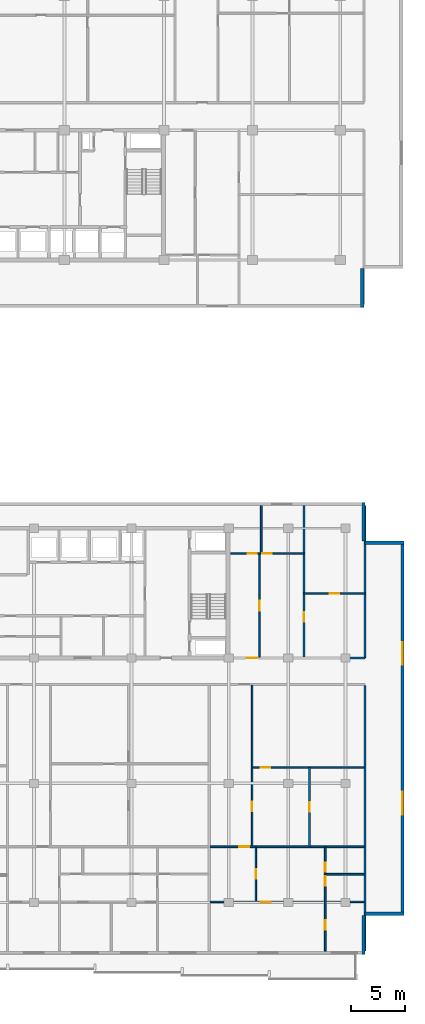
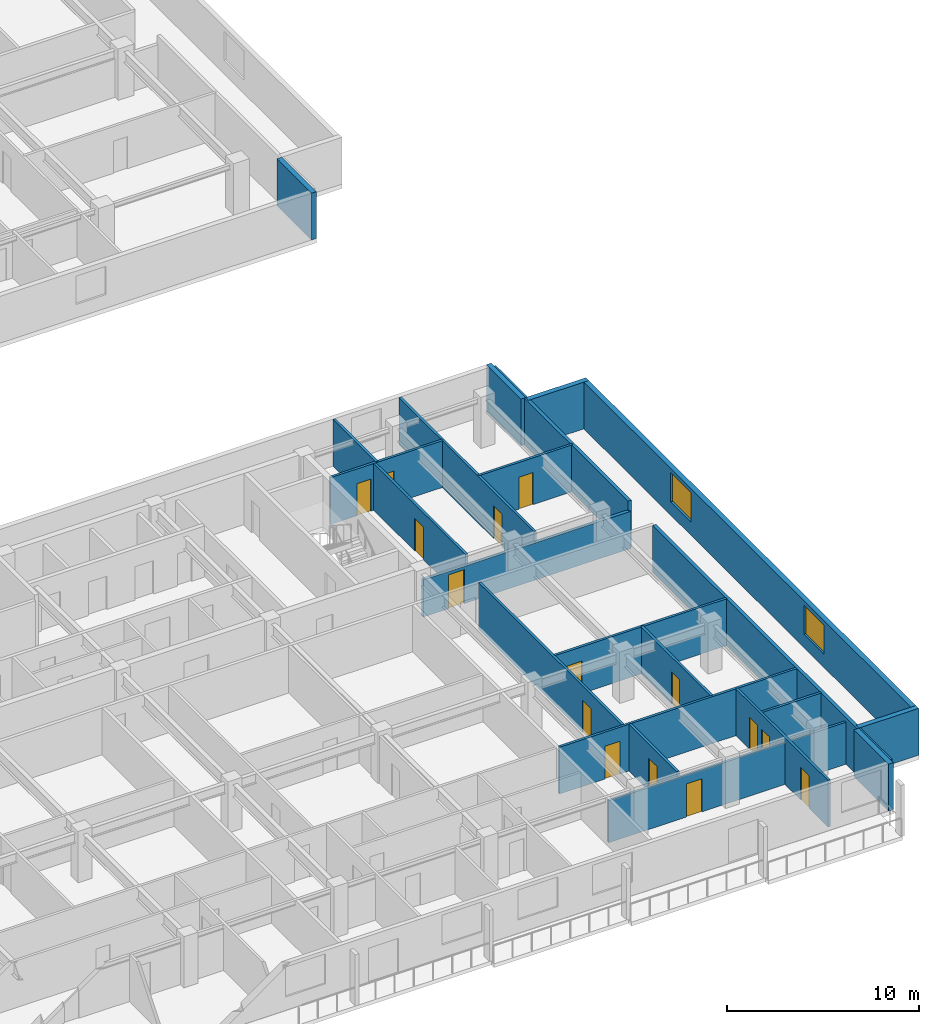
# One storey, part 10 of 22: 22 walls, 15 doors, 2 windows, 17 openings.
"""IFC4 building model written with IfcOpenShell, lengths in metres."""

from ifc_helpers import new_model, si_unit, direction, frame, frame_2d, origin, place, context, subcontext, project, spatial, rectangle, extrude, material, layer, layer_set, type_object, element, fill, save


model = new_model("IFC4")

# Units and contexts
model_context = context("Model", 3, precision=1e-05, world=origin(), true_north=direction((0.0, 1.0)))
body_context = subcontext(model_context, "Body", "Model", "MODEL_VIEW")
ifc_project = project(units=[si_unit("LENGTHUNIT", "METRE"), si_unit("AREAUNIT", "SQUARE_METRE"), si_unit("VOLUMEUNIT", "CUBIC_METRE"), si_unit("PLANEANGLEUNIT", "RADIAN"), si_unit("MASSUNIT", "GRAM", prefix="KILO")], contexts=[model_context])

# Site, building, storey
site_placement = place(None, origin())
site = spatial("IfcSite", under=ifc_project, at=site_placement, CompositionType="ELEMENT")
building_placement = place(site_placement, origin())
building = spatial("IfcBuilding", under=site, at=building_placement, Name="Korimba Cascade Residences", CompositionType="ELEMENT")
storey_placement = place(building_placement, frame((0.0, 0.0, 129.550048828125)))
storey = spatial("IfcBuildingStorey", under=building, at=storey_placement, Name="L37", CompositionType="ELEMENT", Elevation=129.550048828125)

# Walls
ifc_material_1 = material(Name="Precast concrete C40/50", Category="concrete")
ifc_layer_1 = layer(ifc_material_1, 0.300048828125)
ifc_layer_set_1 = layer_set([ifc_layer_1], Name="Precast concrete C40/50")
wall_type_1 = type_object("IfcWallType", Name="EW-STONE-300", PredefinedType="STANDARD", material=ifc_layer_set_1)
wall_1_placement = place(storey_placement, frame((130.449951171875, 50.800048828125, 0.0), z_axis=(0.0, 0.0, 1.0), x_axis=(0.0, 1.0, 0.0)))
element("IfcWall", 1, at=wall_1_placement, inside=storey, type_object=wall_type_1, Name="L37 T1 Perimeter Stone Wall E01", PredefinedType="STANDARD", context=body_context, shape_type="SweptSolid", body=[
    extrude(rectangle(XDim=3.599853515625, YDim=0.300048828125, at=frame_2d((1.7998046875, 0.0))), origin(), (0.0, 0.0, 1.0), 2.969970703125),
])
for number, where, z_axis, x_axis, name in (
    (2, (130.550048828125, -9.0, 0.0), (0.0, 0.0, 1.0), (0.0, 1.0, 0.0), "L37 T2 Perimeter Stone Wall E01"),
    (3, (130.699951171875, -5.25, 0.0), (0.0, 0.0, 1.0), (1.0, 0.0, 0.0), "L37 T2 Perimeter Stone Wall E02"),
):
    element("IfcWall", number, at=place(storey_placement, frame(where, z_axis=z_axis, x_axis=x_axis)), inside=storey, type_object=wall_type_1, Name=name, PredefinedType="STANDARD", context=body_context, shape_type="SweptSolid", body=[
        extrude(rectangle(XDim=3.60009765625, YDim=0.300048828125, at=frame_2d((1.800048828125, 0.0))), origin(), (0.0, 0.0, 1.0), 2.969970703125),
    ])

# Wall, openings, windows
wall_2_placement = place(storey_placement, frame((134.14990234375, -5.39990234375, 0.0), z_axis=(0.0, 0.0, 1.0), x_axis=(0.0, 1.0, 0.0)))
wall_2 = element("IfcWall", 4, at=wall_2_placement, inside=storey, type_object=wall_type_1, Name="L37 T2 Perimeter Stone Wall E03", PredefinedType="STANDARD", context=body_context, shape_type="SweptSolid", body=[
    extrude(rectangle(XDim=34.599853515625, YDim=0.300048828125, at=frame_2d((17.2998046875, 0.0))), origin(), (0.0, 0.0, 1.0), 2.969970703125),
])
opening_1_placement = place(wall_2_placement, frame((9.330078125, 0.0, 0.85009765625)))
opening_1 = element("IfcOpeningElement", 5, at=opening_1_placement, cuts=wall_2, Name="Opening W-03", PredefinedType="OPENING", context=body_context, shape_type="SweptSolid", body=[
    extrude(rectangle(XDim=2.10009765625, YDim=1.85009765625, at=frame_2d((1.050048828125, 0.925048828125))), frame((0.0, 0.16015625, 0.0), z_axis=(0.0, -1.0, 0.0), x_axis=(1.0, 0.0, 0.0)), (0.0, 0.0, 1.0), 0.320068359375),
])
opening_2_placement = place(wall_2_placement, frame((23.169921875, 0.0, 0.85009765625)))
opening_2 = element("IfcOpeningElement", 6, at=opening_2_placement, cuts=wall_2, Name="Opening W-03", PredefinedType="OPENING", context=body_context, shape_type="SweptSolid", body=[
    extrude(rectangle(XDim=2.10009765625, YDim=1.85009765625, at=frame_2d((1.050048828125, 0.925048828125))), frame((0.0, 0.16015625, 0.0), z_axis=(0.0, -1.0, 0.0), x_axis=(1.0, 0.0, 0.0)), (0.0, 0.0, 1.0), 0.320068359375),
])
ifc_material_2 = material(Name="Double-Glazed Aluminium Window", Category="aluminium")
window_type = type_object("IfcWindowType", Name="WIN-CRN-2100", PartitioningType="DOUBLE_PANEL_HORIZONTAL", PredefinedType="WINDOW", material=ifc_material_2)
window_1_placement = place(opening_1_placement, origin())
window_1 = element("IfcWindow", 7, at=window_1_placement, inside=storey, type_object=window_type, Name="L37 T2 End View Window 3.1", OverallHeight=1.85009765625, OverallWidth=2.10009765625, PartitioningType="DOUBLE_PANEL_HORIZONTAL", PredefinedType="WINDOW", context=body_context, shape_type="SweptSolid", body=[
    extrude(rectangle(XDim=2.10009765625, YDim=1.85009765625, at=frame_2d((1.050048828125, 0.925048828125))), frame((0.0, 0.030029296875, 0.0), z_axis=(0.0, -1.0, 0.0), x_axis=(1.0, 0.0, 0.0)), (0.0, 0.0, 1.0), 0.06005859375),
])
fill(opening_1, window_1)
window_2_placement = place(opening_2_placement, origin())
window_2 = element("IfcWindow", 8, at=window_2_placement, inside=storey, type_object=window_type, Name="L37 T2 End View Window 3.2", OverallHeight=1.85009765625, OverallWidth=2.10009765625, PartitioningType="DOUBLE_PANEL_HORIZONTAL", PredefinedType="WINDOW", context=body_context, shape_type="SweptSolid", body=[
    extrude(rectangle(XDim=2.10009765625, YDim=1.85009765625, at=frame_2d((1.050048828125, 0.925048828125))), frame((0.0, 0.030029296875, 0.0), z_axis=(0.0, -1.0, 0.0), x_axis=(1.0, 0.0, 0.0)), (0.0, 0.0, 1.0), 0.06005859375),
])
fill(opening_2, window_2)

# Walls
for number, where, z_axis, x_axis, name in (
    (9, (134.300048828125, 29.050048828125, 0.0), (0.0, 0.0, 1.0), (-1.0, 0.0, 0.0), "L37 T2 Perimeter Stone Wall E04"),
    (10, (130.550048828125, 29.199951171875, 0.0), (0.0, 0.0, 1.0), (0.0, 1.0, 0.0), "L37 T2 Perimeter Stone Wall E05"),
):
    element("IfcWall", number, at=place(storey_placement, frame(where, z_axis=z_axis, x_axis=x_axis)), inside=storey, type_object=wall_type_1, Name=name, PredefinedType="STANDARD", context=body_context, shape_type="SweptSolid", body=[
        extrude(rectangle(XDim=3.60009765625, YDim=0.300048828125, at=frame_2d((1.800048828125, 0.0))), origin(), (0.0, 0.0, 1.0), 2.969970703125),
    ])
ifc_layer_2 = layer(ifc_material_1, 0.199951171875)
ifc_layer_set_2 = layer_set([ifc_layer_2], Name="Precast concrete C40/50")
wall_type_2 = type_object("IfcWallType", Name="WAL-IT-200", PredefinedType="PARTITIONING", material=ifc_layer_set_2)
wall_3_placement = place(storey_placement, frame((130.699951171875, 18.39990234375, 0.0), z_axis=(0.0, 0.0, 1.0), x_axis=(0.0, 1.0, 0.0)))
element("IfcWall", 11, at=wall_3_placement, inside=storey, type_object=wall_type_2, Name="L37 Partition Wall WAL-L37-T2-FE-WR", PredefinedType="PARTITIONING", context=body_context, shape_type="SweptSolid", body=[
    extrude(rectangle(XDim=14.10009765625, YDim=0.199951171875, at=frame_2d((7.050048828125, 0.0))), origin(), (0.0, 0.0, 1.0), 2.969970703125),
])

# Wall, opening, door
wall_4_placement = place(storey_placement, frame((118.25, 18.39990234375, 0.0), z_axis=(0.0, 0.0, 1.0), x_axis=(1.0, 0.0, 0.0)))
wall_4 = element("IfcWall", 12, at=wall_4_placement, inside=storey, type_object=wall_type_2, Name="L37 Partition Wall WAL-L37-T2-FE-S", PredefinedType="PARTITIONING", context=body_context, shape_type="SweptSolid", body=[
    extrude(rectangle(XDim=12.449951171875, YDim=0.199951171875, at=frame_2d((6.22509765625, 0.0))), origin(), (0.0, 0.0, 1.0), 2.357666015625),
])
opening_3_placement = place(wall_4_placement, frame((1.510009765625, 0.0, 0.0)))
opening_3 = element("IfcOpeningElement", 13, at=opening_3_placement, cuts=wall_4, Name="Opening D-UN1", PredefinedType="OPENING", context=body_context, shape_type="SweptSolid", body=[
    extrude(rectangle(XDim=0.949951171875, YDim=2.14990234375, at=frame_2d((0.47509765625, 1.074951171875))), frame((0.0, 0.10986328125, 0.0), z_axis=(0.0, -1.0, 0.0), x_axis=(1.0, 0.0, 0.0)), (0.0, 0.0, 1.0), 0.219970703125),
])
ifc_material_3 = material(Name="Fire-Rated Hardwood Apartment Entrance Door", Category="wood")
door_type_1 = type_object("IfcDoorType", Name="DR-FD60-950", OperationType="NOTDEFINED", PredefinedType="DOOR", material=ifc_material_3)
door_1_placement = place(opening_3_placement, origin())
door_1 = element("IfcDoor", 14, at=door_1_placement, inside=storey, type_object=door_type_1, Name="L37-T2-FE Entrance Door", OperationType="SINGLE_SWING_RIGHT", OverallHeight=2.14990234375, OverallWidth=0.949951171875, PredefinedType="DOOR", context=body_context, shape_type="SweptSolid", body=[
    extrude(rectangle(XDim=0.949951171875, YDim=2.14990234375, at=frame_2d((0.47509765625, 1.074951171875))), frame((0.0, 0.02490234375, 0.0), z_axis=(0.0, -1.0, 0.0), x_axis=(1.0, 0.0, 0.0)), (0.0, 0.0, 1.0), 0.050048828125),
])
fill(opening_3, door_1)

# Wall
wall_5_placement = place(storey_placement, frame((130.699951171875, -8.699951171875, 0.0), z_axis=(0.0, 0.0, 1.0), x_axis=(0.0, 1.0, 0.0)))
element("IfcWall", 15, at=wall_5_placement, inside=storey, type_object=wall_type_2, Name="L37 Partition Wall WAL-L37-T2-BNDWR", PredefinedType="PARTITIONING", context=body_context, shape_type="SweptSolid", body=[
    extrude(rectangle(XDim=24.570068359375, YDim=0.199951171875, at=frame_2d((12.28515625, 0.0))), origin(), (0.0, 0.0, 1.0), 2.969970703125),
])

# Wall, opening, door
ifc_material_4 = material(Name="Insulated Acoustic Stud Partition", Category="gypsum")
ifc_layer_3 = layer(ifc_material_4, 0.14990234375)
ifc_layer_set_3 = layer_set([ifc_layer_3], Name="Insulated Acoustic Stud Partition")
wall_type_3 = type_object("IfcWallType", Name="WAL-PART-150", PredefinedType="PARTITIONING", material=ifc_layer_set_3)
wall_6_placement = place(storey_placement, frame((125.050048828125, 24.35009765625, 0.0), z_axis=(0.0, 0.0, 1.0), x_axis=(1.0, 0.0, 0.0)))
wall_6 = element("IfcWall", 16, at=wall_6_placement, inside=storey, type_object=wall_type_3, Name="L37 Partition Wall WAL-L37-T2-FE-STH", PredefinedType="PARTITIONING", context=body_context, shape_type="SweptSolid", body=[
    extrude(rectangle(XDim=5.64990234375, YDim=0.14990234375, at=frame_2d((2.824951171875, 0.0))), origin(), (0.0, 0.0, 1.0), 2.969970703125),
])
opening_4_placement = place(wall_6_placement, frame((2.405029296875, 0.0, 0.0)))
opening_4 = element("IfcOpeningElement", 17, at=opening_4_placement, cuts=wall_6, Name="Opening D-BT1", PredefinedType="OPENING", context=body_context, shape_type="SweptSolid", body=[
    extrude(rectangle(XDim=0.840087890625, YDim=2.0400390625, at=frame_2d((0.419921875, 1.02001953125))), frame((0.0, 0.0849609375, 0.0), z_axis=(0.0, -1.0, 0.0), x_axis=(1.0, 0.0, 0.0)), (0.0, 0.0, 1.0), 0.169921875),
])
ifc_material_5 = material(Name="Moisture-Resistant Bathroom Timber Door", Category="wood")
door_type_2 = type_object("IfcDoorType", Name="DR-INT-850", OperationType="NOTDEFINED", PredefinedType="DOOR", material=ifc_material_5)
door_2_placement = place(opening_4_placement, origin())
door_2 = element("IfcDoor", 18, at=door_2_placement, inside=storey, type_object=door_type_2, Name="L37-T2-FE Dressing Store Door", OperationType="SINGLE_SWING_LEFT", OverallHeight=2.0400390625, OverallWidth=0.840087890625, PredefinedType="DOOR", context=body_context, shape_type="SweptSolid", body=[
    extrude(rectangle(XDim=0.840087890625, YDim=2.0400390625, at=frame_2d((0.419921875, 1.02001953125))), frame((0.0, 0.02490234375, 0.0), z_axis=(0.0, -1.0, 0.0), x_axis=(1.0, 0.0, 0.0)), (0.0, 0.0, 1.0), 0.050048828125),
])
fill(opening_4, door_2)

wall_7_placement = place(storey_placement, frame((125.050048828125, 18.449951171875, 0.0), z_axis=(0.0, 0.0, 1.0), x_axis=(0.0, 1.0, 0.0)))
wall_7 = element("IfcWall", 19, at=wall_7_placement, inside=storey, type_object=wall_type_3, Name="L37 Partition Wall WAL-L37-T2-FE-STV", PredefinedType="PARTITIONING", context=body_context, shape_type="SweptSolid", body=[
    extrude(rectangle(XDim=14.050048828125, YDim=0.14990234375, at=frame_2d((7.02490234375, 0.0))), origin(), (0.0, 0.0, 1.0), 2.969970703125),
])
opening_5_placement = place(wall_7_placement, frame((3.320068359375, 0.0, 0.0)))
opening_5 = element("IfcOpeningElement", 20, at=opening_5_placement, cuts=wall_7, Name="Opening D-IN2", PredefinedType="OPENING", context=body_context, shape_type="SweptSolid", body=[
    extrude(rectangle(XDim=0.8798828125, YDim=2.06005859375, at=frame_2d((0.43994140625, 1.030029296875))), frame((0.0, 0.0849609375, 0.0), z_axis=(0.0, -1.0, 0.0), x_axis=(1.0, 0.0, 0.0)), (0.0, 0.0, 1.0), 0.169921875),
])
ifc_material_6 = material(Name="Acoustic Timber Bedroom Door", Category="wood")
door_type_3 = type_object("IfcDoorType", Name="DR-INT-880", OperationType="NOTDEFINED", PredefinedType="DOOR", material=ifc_material_6)
door_3_placement = place(opening_5_placement, origin())
door_3 = element("IfcDoor", 21, at=door_3_placement, inside=storey, type_object=door_type_3, Name="L37-T2-FE Study Door", OperationType="SINGLE_SWING_RIGHT", OverallHeight=2.06005859375, OverallWidth=0.8798828125, PredefinedType="DOOR", context=body_context, shape_type="SweptSolid", body=[
    extrude(rectangle(XDim=0.8798828125, YDim=2.06005859375, at=frame_2d((0.43994140625, 1.030029296875))), frame((0.0, 0.02490234375, 0.0), z_axis=(0.0, -1.0, 0.0), x_axis=(1.0, 0.0, 0.0)), (0.0, 0.0, 1.0), 0.050048828125),
])
fill(opening_5, door_3)

wall_8_placement = place(storey_placement, frame((120.929931640625, 18.449951171875, 0.0), z_axis=(0.0, 0.0, 1.0), x_axis=(0.0, 1.0, 0.0)))
wall_8 = element("IfcWall", 22, at=wall_8_placement, inside=storey, type_object=wall_type_3, Name="L37 Partition Wall WAL-L37-T2-FE-VS", PredefinedType="PARTITIONING", context=body_context, shape_type="SweptSolid", body=[
    extrude(rectangle(XDim=9.60009765625, YDim=0.14990234375, at=frame_2d((4.800048828125, 0.0))), origin(), (0.0, 0.0, 1.0), 2.969970703125),
])
opening_6_placement = place(wall_8_placement, frame((4.340087890625, 0.0, 0.0)))
opening_6 = element("IfcOpeningElement", 23, at=opening_6_placement, cuts=wall_8, Name="Opening D-IN1", PredefinedType="OPENING", context=body_context, shape_type="SweptSolid", body=[
    extrude(rectangle(XDim=0.919921875, YDim=2.080078125, at=frame_2d((0.4599609375, 1.0400390625))), frame((0.0, 0.0849609375, 0.0), z_axis=(0.0, -1.0, 0.0), x_axis=(1.0, 0.0, 0.0)), (0.0, 0.0, 1.0), 0.169921875),
])
ifc_material_7 = material(Name="Acoustic Timber Living Door", Category="wood")
door_type_4 = type_object("IfcDoorType", Name="DR-INT-920", OperationType="NOTDEFINED", PredefinedType="DOOR", material=ifc_material_7)
door_4_placement = place(opening_6_placement, origin())
door_4 = element("IfcDoor", 24, at=door_4_placement, inside=storey, type_object=door_type_4, Name="L37-T2-FE Living Door", OperationType="SINGLE_SWING_LEFT", OverallHeight=2.080078125, OverallWidth=0.919921875, PredefinedType="DOOR", context=body_context, shape_type="SweptSolid", body=[
    extrude(rectangle(XDim=0.919921875, YDim=2.080078125, at=frame_2d((0.4599609375, 1.0400390625))), frame((0.0, 0.02490234375, 0.0), z_axis=(0.0, -1.0, 0.0), x_axis=(1.0, 0.0, 0.0)), (0.0, 0.0, 1.0), 0.050048828125),
])
fill(opening_6, door_4)

# Wall
wall_9_placement = place(storey_placement, frame((121.10009765625, 28.050048828125, 0.0), z_axis=(0.0, 0.0, 1.0), x_axis=(0.0, 1.0, 0.0)))
element("IfcWall", 25, at=wall_9_placement, inside=storey, type_object=wall_type_3, Name="L37 Partition Wall WAL-L37-T2-FE-VN", PredefinedType="PARTITIONING", context=body_context, shape_type="SweptSolid", body=[
    extrude(rectangle(XDim=4.449951171875, YDim=0.14990234375, at=frame_2d((2.22509765625, 0.0))), origin(), (0.0, 0.0, 1.0), 2.969970703125),
])

# Wall, openings, doors
wall_10_placement = place(storey_placement, frame((118.27001953125, 28.050048828125, 0.0), z_axis=(0.0, 0.0, 1.0), x_axis=(1.0, 0.0, 0.0)))
wall_10 = element("IfcWall", 26, at=wall_10_placement, inside=storey, type_object=wall_type_3, Name="L37 Partition Wall WAL-L37-T2-FE-H", PredefinedType="PARTITIONING", context=body_context, shape_type="SweptSolid", body=[
    extrude(rectangle(XDim=6.760009765625, YDim=0.14990234375, at=frame_2d((3.3798828125, 0.0))), origin(), (0.0, 0.0, 1.0), 2.969970703125),
])
opening_7_placement = place(wall_10_placement, frame((1.58740234375, 0.0, 0.0)))
opening_7 = element("IfcOpeningElement", 27, at=opening_7_placement, cuts=wall_10, Name="Opening D-BT1", PredefinedType="OPENING", context=body_context, shape_type="SweptSolid", body=[
    extrude(rectangle(XDim=0.840087890625, YDim=2.0400390625, at=frame_2d((0.419921875, 1.02001953125))), frame((0.0, 0.0849609375, 0.0), z_axis=(0.0, -1.0, 0.0), x_axis=(1.0, 0.0, 0.0)), (0.0, 0.0, 1.0), 0.169921875),
])
opening_8_placement = place(wall_10_placement, frame((2.93994140625, 0.0, 0.0)))
opening_8 = element("IfcOpeningElement", 28, at=opening_8_placement, cuts=wall_10, Name="Opening D-IN2", PredefinedType="OPENING", context=body_context, shape_type="SweptSolid", body=[
    extrude(rectangle(XDim=0.8798828125, YDim=2.06005859375, at=frame_2d((0.43994140625, 1.030029296875))), frame((0.0, 0.0849609375, 0.0), z_axis=(0.0, -1.0, 0.0), x_axis=(1.0, 0.0, 0.0)), (0.0, 0.0, 1.0), 0.169921875),
])
door_5_placement = place(opening_7_placement, origin())
door_5 = element("IfcDoor", 29, at=door_5_placement, inside=storey, type_object=door_type_2, Name="L37-T2-FE Bathroom Door", OperationType="SINGLE_SWING_RIGHT", OverallHeight=2.0400390625, OverallWidth=0.840087890625, PredefinedType="DOOR", context=body_context, shape_type="SweptSolid", body=[
    extrude(rectangle(XDim=0.840087890625, YDim=2.0400390625, at=frame_2d((0.419921875, 1.02001953125))), frame((0.0, 0.02490234375, 0.0), z_axis=(0.0, -1.0, 0.0), x_axis=(1.0, 0.0, 0.0)), (0.0, 0.0, 1.0), 0.050048828125),
])
fill(opening_7, door_5)
door_6_placement = place(opening_8_placement, origin())
door_6 = element("IfcDoor", 30, at=door_6_placement, inside=storey, type_object=door_type_3, Name="L37-T2-FE Bedroom Door", OperationType="SINGLE_SWING_LEFT", OverallHeight=2.06005859375, OverallWidth=0.8798828125, PredefinedType="DOOR", context=body_context, shape_type="SweptSolid", body=[
    extrude(rectangle(XDim=0.8798828125, YDim=2.06005859375, at=frame_2d((0.43994140625, 1.030029296875))), frame((0.0, 0.02490234375, 0.0), z_axis=(0.0, -1.0, 0.0), x_axis=(1.0, 0.0, 0.0)), (0.0, 0.0, 1.0), 0.050048828125),
])
fill(opening_8, door_6)

# Wall, opening, door
wall_11_placement = place(storey_placement, frame((125.568115234375, 0.989990234375, 0.0), z_axis=(0.0, 0.0, 1.0), x_axis=(0.0, 1.0, 0.0)))
wall_11 = element("IfcWall", 31, at=wall_11_placement, inside=storey, type_object=wall_type_3, Name="L37 Partition Wall WAL-L37-T2-U03-FMV", PredefinedType="PARTITIONING", context=body_context, shape_type="SweptSolid", body=[
    extrude(rectangle(XDim=7.27001953125, YDim=0.14990234375, at=frame_2d((3.635009765625, 0.0))), origin(), (0.0, 0.0, 1.0), 2.969970703125),
])
opening_9_placement = place(wall_11_placement, frame((3.215087890625, 0.0, 0.0)))
opening_9 = element("IfcOpeningElement", 32, at=opening_9_placement, cuts=wall_11, Name="Opening D-BT1", PredefinedType="OPENING", context=body_context, shape_type="SweptSolid", body=[
    extrude(rectangle(XDim=0.840087890625, YDim=2.0400390625, at=frame_2d((0.419921875, 1.02001953125))), frame((0.0, 0.0849609375, 0.0), z_axis=(0.0, -1.0, 0.0), x_axis=(1.0, 0.0, 0.0)), (0.0, 0.0, 1.0), 0.169921875),
])
door_7_placement = place(opening_9_placement, origin())
door_7 = element("IfcDoor", 33, at=door_7_placement, inside=storey, type_object=door_type_2, Name="L37-T2-U03 Wardrobe Door", OperationType="SINGLE_SWING_RIGHT", OverallHeight=2.0400390625, OverallWidth=0.840087890625, PredefinedType="DOOR", context=body_context, shape_type="SweptSolid", body=[
    extrude(rectangle(XDim=0.840087890625, YDim=2.0400390625, at=frame_2d((0.419921875, 1.02001953125))), frame((0.0, 0.02490234375, 0.0), z_axis=(0.0, -1.0, 0.0), x_axis=(1.0, 0.0, 0.0)), (0.0, 0.0, 1.0), 0.050048828125),
])
fill(opening_9, door_7)

wall_12_placement = place(storey_placement, frame((120.31640625, 8.260009765625, 0.0), z_axis=(0.0, 0.0, 1.0), x_axis=(1.0, 0.0, 0.0)))
wall_12 = element("IfcWall", 34, at=wall_12_placement, inside=storey, type_object=wall_type_3, Name="L37 Partition Wall WAL-L37-T2-U03-FMH", PredefinedType="PARTITIONING", context=body_context, shape_type="SweptSolid", body=[
    extrude(rectangle(XDim=10.3037109375, YDim=0.14990234375, at=frame_2d((5.15185546875, 0.0))), origin(), (0.0, 0.0, 1.0), 2.969970703125),
])
opening_10_placement = place(wall_12_placement, frame((0.730224609375, 0.0, 0.0)))
opening_10 = element("IfcOpeningElement", 35, at=opening_10_placement, cuts=wall_12, Name="Opening D-IN2", PredefinedType="OPENING", context=body_context, shape_type="SweptSolid", body=[
    extrude(rectangle(XDim=0.8798828125, YDim=2.06005859375, at=frame_2d((0.43994140625, 1.030029296875))), frame((0.0, 0.0849609375, 0.0), z_axis=(0.0, -1.0, 0.0), x_axis=(1.0, 0.0, 0.0)), (0.0, 0.0, 1.0), 0.169921875),
])
door_8_placement = place(opening_10_placement, origin())
door_8 = element("IfcDoor", 36, at=door_8_placement, inside=storey, type_object=door_type_3, Name="L37-T2-U03 Library Salon Door", OperationType="SINGLE_SWING_LEFT", OverallHeight=2.06005859375, OverallWidth=0.8798828125, PredefinedType="DOOR", context=body_context, shape_type="SweptSolid", body=[
    extrude(rectangle(XDim=0.8798828125, YDim=2.06005859375, at=frame_2d((0.43994140625, 1.030029296875))), frame((0.0, 0.02490234375, 0.0), z_axis=(0.0, -1.0, 0.0), x_axis=(1.0, 0.0, 0.0)), (0.0, 0.0, 1.0), 0.050048828125),
])
fill(opening_10, door_8)

wall_13_placement = place(storey_placement, frame((120.25634765625, 0.989990234375, 0.0), z_axis=(0.0, 0.0, 1.0), x_axis=(0.0, 1.0, 0.0)))
wall_13 = element("IfcWall", 37, at=wall_13_placement, inside=storey, type_object=wall_type_3, Name="L37 Partition Wall WAL-L37-T2-U03-FV", PredefinedType="PARTITIONING", context=body_context, shape_type="SweptSolid", body=[
    extrude(rectangle(XDim=14.89990234375, YDim=0.14990234375, at=frame_2d((7.449951171875, 0.0))), origin(), (0.0, 0.0, 1.0), 2.969970703125),
])
opening_11_placement = place(wall_13_placement, frame((3.2451171875, 0.0, 0.0)))
opening_11 = element("IfcOpeningElement", 38, at=opening_11_placement, cuts=wall_13, Name="Opening D-IN2", PredefinedType="OPENING", context=body_context, shape_type="SweptSolid", body=[
    extrude(rectangle(XDim=0.8798828125, YDim=2.06005859375, at=frame_2d((0.43994140625, 1.030029296875))), frame((0.0, 0.0849609375, 0.0), z_axis=(0.0, -1.0, 0.0), x_axis=(1.0, 0.0, 0.0)), (0.0, 0.0, 1.0), 0.169921875),
])
door_9_placement = place(opening_11_placement, origin())
door_9 = element("IfcDoor", 39, at=door_9_placement, inside=storey, type_object=door_type_3, Name="L37-T2-U03 Media Lounge Door", OperationType="SINGLE_SWING_RIGHT", OverallHeight=2.06005859375, OverallWidth=0.8798828125, PredefinedType="DOOR", context=body_context, shape_type="SweptSolid", body=[
    extrude(rectangle(XDim=0.8798828125, YDim=2.06005859375, at=frame_2d((0.43994140625, 1.030029296875))), frame((0.0, 0.02490234375, 0.0), z_axis=(0.0, -1.0, 0.0), x_axis=(1.0, 0.0, 0.0)), (0.0, 0.0, 1.0), 0.050048828125),
])
fill(opening_11, door_9)

wall_14_placement = place(storey_placement, frame((120.606201171875, -4.090087890625, 0.0), z_axis=(0.0, 0.0, 1.0), x_axis=(0.0, 1.0, 0.0)))
wall_14 = element("IfcWall", 40, at=wall_14_placement, inside=storey, type_object=wall_type_3, Name="L37 Partition Wall WAL-L37-T2-U03-VDIN", PredefinedType="PARTITIONING", context=body_context, shape_type="SweptSolid", body=[
    extrude(rectangle(XDim=5.0, YDim=0.14990234375, at=frame_2d((2.5, 0.0))), origin(), (0.0, 0.0, 1.0), 2.969970703125),
])
opening_12_placement = place(wall_14_placement, frame((2.06005859375, 0.0, 0.0)))
opening_12 = element("IfcOpeningElement", 41, at=opening_12_placement, cuts=wall_14, Name="Opening D-IN2", PredefinedType="OPENING", context=body_context, shape_type="SweptSolid", body=[
    extrude(rectangle(XDim=0.8798828125, YDim=2.06005859375, at=frame_2d((0.43994140625, 1.030029296875))), frame((0.0, 0.0849609375, 0.0), z_axis=(0.0, -1.0, 0.0), x_axis=(1.0, 0.0, 0.0)), (0.0, 0.0, 1.0), 0.169921875),
])
door_10_placement = place(opening_12_placement, origin())
door_10 = element("IfcDoor", 42, at=door_10_placement, inside=storey, type_object=door_type_3, Name="L37-T2-U03 Dining Room Door", OperationType="SINGLE_SWING_LEFT", OverallHeight=2.06005859375, OverallWidth=0.8798828125, PredefinedType="DOOR", context=body_context, shape_type="SweptSolid", body=[
    extrude(rectangle(XDim=0.8798828125, YDim=2.06005859375, at=frame_2d((0.43994140625, 1.030029296875))), frame((0.0, 0.02490234375, 0.0), z_axis=(0.0, -1.0, 0.0), x_axis=(1.0, 0.0, 0.0)), (0.0, 0.0, 1.0), 0.050048828125),
])
fill(opening_12, door_10)

# Wall
wall_15_placement = place(storey_placement, frame((127.080078125, -1.590087890625, 0.0), z_axis=(0.0, 0.0, 1.0), x_axis=(1.0, 0.0, 0.0)))
element("IfcWall", 43, at=wall_15_placement, inside=storey, type_object=wall_type_3, Name="L37 Partition Wall WAL-L37-T2-U03-BLDIV", PredefinedType="PARTITIONING", context=body_context, shape_type="SweptSolid", body=[
    extrude(rectangle(XDim=3.5400390625, YDim=0.14990234375, at=frame_2d((1.77001953125, 0.0))), origin(), (0.0, 0.0, 1.0), 2.969970703125),
])

# Wall, openings, doors
wall_16_placement = place(storey_placement, frame((127.02001953125, -8.699951171875, 0.0), z_axis=(0.0, 0.0, 1.0), x_axis=(0.0, 1.0, 0.0)))
wall_16 = element("IfcWall", 44, at=wall_16_placement, inside=storey, type_object=wall_type_3, Name="L37 Partition Wall WAL-L37-T2-U03-V1", PredefinedType="PARTITIONING", context=body_context, shape_type="SweptSolid", body=[
    extrude(rectangle(XDim=9.60986328125, YDim=0.14990234375, at=frame_2d((4.804931640625, 0.0))), origin(), (0.0, 0.0, 1.0), 2.969970703125),
])
opening_13_placement = place(wall_16_placement, frame((6.065185546875, 0.0, 0.0)))
opening_13 = element("IfcOpeningElement", 45, at=opening_13_placement, cuts=wall_16, Name="Opening D-BT1", PredefinedType="OPENING", context=body_context, shape_type="SweptSolid", body=[
    extrude(rectangle(XDim=0.840087890625, YDim=2.0400390625, at=frame_2d((0.419921875, 1.02001953125))), frame((0.0, 0.0849609375, 0.0), z_axis=(0.0, -1.0, 0.0), x_axis=(1.0, 0.0, 0.0)), (0.0, 0.0, 1.0), 0.169921875),
])
opening_14_placement = place(wall_16_placement, frame((7.339599609375, 0.0, 0.0)))
opening_14 = element("IfcOpeningElement", 46, at=opening_14_placement, cuts=wall_16, Name="Opening D-BT1", PredefinedType="OPENING", context=body_context, shape_type="SweptSolid", body=[
    extrude(rectangle(XDim=0.840087890625, YDim=2.0400390625, at=frame_2d((0.419921875, 1.02001953125))), frame((0.0, 0.0849609375, 0.0), z_axis=(0.0, -1.0, 0.0), x_axis=(1.0, 0.0, 0.0)), (0.0, 0.0, 1.0), 0.169921875),
])
opening_15_placement = place(wall_16_placement, frame((1.97119140625, 0.0, 0.0)))
opening_15 = element("IfcOpeningElement", 47, at=opening_15_placement, cuts=wall_16, Name="Opening D-IN2", PredefinedType="OPENING", context=body_context, shape_type="SweptSolid", body=[
    extrude(rectangle(XDim=0.8798828125, YDim=2.06005859375, at=frame_2d((0.43994140625, 1.030029296875))), frame((0.0, 0.0849609375, 0.0), z_axis=(0.0, -1.0, 0.0), x_axis=(1.0, 0.0, 0.0)), (0.0, 0.0, 1.0), 0.169921875),
])
door_11_placement = place(opening_13_placement, origin())
door_11 = element("IfcDoor", 48, at=door_11_placement, inside=storey, type_object=door_type_2, Name="L37-T2-U03 Bathroom Door", OperationType="SINGLE_SWING_RIGHT", OverallHeight=2.0400390625, OverallWidth=0.840087890625, PredefinedType="DOOR", context=body_context, shape_type="SweptSolid", body=[
    extrude(rectangle(XDim=0.840087890625, YDim=2.0400390625, at=frame_2d((0.419921875, 1.02001953125))), frame((0.0, 0.02490234375, 0.0), z_axis=(0.0, -1.0, 0.0), x_axis=(1.0, 0.0, 0.0)), (0.0, 0.0, 1.0), 0.050048828125),
])
fill(opening_13, door_11)
door_12_placement = place(opening_14_placement, origin())
door_12 = element("IfcDoor", 49, at=door_12_placement, inside=storey, type_object=door_type_2, Name="L37-T2-U03 Laundry Door", OperationType="SINGLE_SWING_LEFT", OverallHeight=2.0400390625, OverallWidth=0.840087890625, PredefinedType="DOOR", context=body_context, shape_type="SweptSolid", body=[
    extrude(rectangle(XDim=0.840087890625, YDim=2.0400390625, at=frame_2d((0.419921875, 1.02001953125))), frame((0.0, 0.02490234375, 0.0), z_axis=(0.0, -1.0, 0.0), x_axis=(1.0, 0.0, 0.0)), (0.0, 0.0, 1.0), 0.050048828125),
])
fill(opening_14, door_12)
door_13_placement = place(opening_15_placement, origin())
door_13 = element("IfcDoor", 50, at=door_13_placement, inside=storey, type_object=door_type_3, Name="L37-T2-U03 Bedroom 1 Door", OperationType="SINGLE_SWING_RIGHT", OverallHeight=2.06005859375, OverallWidth=0.8798828125, PredefinedType="DOOR", context=body_context, shape_type="SweptSolid", body=[
    extrude(rectangle(XDim=0.8798828125, YDim=2.06005859375, at=frame_2d((0.43994140625, 1.030029296875))), frame((0.0, 0.02490234375, 0.0), z_axis=(0.0, -1.0, 0.0), x_axis=(1.0, 0.0, 0.0)), (0.0, 0.0, 1.0), 0.050048828125),
])
fill(opening_15, door_13)

# Wall, opening, door
wall_17_placement = place(storey_placement, frame((116.3662109375, 0.949951171875, 0.0), z_axis=(0.0, 0.0, 1.0), x_axis=(1.0, 0.0, 0.0)))
wall_17 = element("IfcWall", 51, at=wall_17_placement, inside=storey, type_object=wall_type_3, Name="L37 Partition Wall WAL-L37-T2-U03-MW", PredefinedType="PARTITIONING", context=body_context, shape_type="SweptSolid", body=[
    extrude(rectangle(XDim=14.25390625, YDim=0.14990234375, at=frame_2d((7.126953125, 0.0))), origin(), (0.0, 0.0, 1.0), 2.969970703125),
])
opening_16_placement = place(wall_17_placement, frame((2.719970703125, 0.0, 0.0)))
opening_16 = element("IfcOpeningElement", 52, at=opening_16_placement, cuts=wall_17, Name="Opening D-IN1", PredefinedType="OPENING", context=body_context, shape_type="SweptSolid", body=[
    extrude(rectangle(XDim=0.919921875, YDim=2.080078125, at=frame_2d((0.4599609375, 1.0400390625))), frame((0.0, 0.0849609375, 0.0), z_axis=(0.0, -1.0, 0.0), x_axis=(1.0, 0.0, 0.0)), (0.0, 0.0, 1.0), 0.169921875),
])
door_14_placement = place(opening_16_placement, origin())
door_14 = element("IfcDoor", 53, at=door_14_placement, inside=storey, type_object=door_type_4, Name="L37-T2-U03 Kitchen Archway Door", OperationType="SINGLE_SWING_LEFT", OverallHeight=2.080078125, OverallWidth=0.919921875, PredefinedType="DOOR", context=body_context, shape_type="SweptSolid", body=[
    extrude(rectangle(XDim=0.919921875, YDim=2.080078125, at=frame_2d((0.4599609375, 1.0400390625))), frame((0.0, 0.02490234375, 0.0), z_axis=(0.0, -1.0, 0.0), x_axis=(1.0, 0.0, 0.0)), (0.0, 0.0, 1.0), 0.050048828125),
])
fill(opening_16, door_14)

wall_18_placement = place(storey_placement, frame((116.3662109375, -4.14990234375, 0.0), z_axis=(0.0, 0.0, 1.0), x_axis=(1.0, 0.0, 0.0)))
wall_18 = element("IfcWall", 54, at=wall_18_placement, inside=storey, type_object=wall_type_3, Name="L37 Partition Wall WAL-L37-T2-U03-HZ", PredefinedType="PARTITIONING", context=body_context, shape_type="SweptSolid", body=[
    extrude(rectangle(XDim=14.25390625, YDim=0.14990234375, at=frame_2d((7.126953125, 0.0))), origin(), (0.0, 0.0, 1.0), 2.663330078125),
])
opening_17_placement = place(wall_18_placement, frame((4.672607421875, 0.0, 0.0)))
opening_17 = element("IfcOpeningElement", 55, at=opening_17_placement, cuts=wall_18, Name="Opening D-IN0", PredefinedType="OPENING", context=body_context, shape_type="SweptSolid", body=[
    extrude(rectangle(XDim=0.93994140625, YDim=2.10009765625, at=frame_2d((0.469970703125, 1.050048828125))), frame((0.0, 0.0849609375, 0.0), z_axis=(0.0, -1.0, 0.0), x_axis=(1.0, 0.0, 0.0)), (0.0, 0.0, 1.0), 0.169921875),
])
ifc_material_8 = material(Name="Acoustic Timber Living Archway Door", Category="wood")
door_type_5 = type_object("IfcDoorType", Name="DR-INT-950", OperationType="NOTDEFINED", PredefinedType="DOOR", material=ifc_material_8)
door_15_placement = place(opening_17_placement, origin())
door_15 = element("IfcDoor", 56, at=door_15_placement, inside=storey, type_object=door_type_5, Name="L37-T2-U03 Living Archway Door", OperationType="SINGLE_SWING_RIGHT", OverallHeight=2.10009765625, OverallWidth=0.93994140625, PredefinedType="DOOR", context=body_context, shape_type="SweptSolid", body=[
    extrude(rectangle(XDim=0.93994140625, YDim=2.10009765625, at=frame_2d((0.469970703125, 1.050048828125))), frame((0.0, 0.02490234375, 0.0), z_axis=(0.0, -1.0, 0.0), x_axis=(1.0, 0.0, 0.0)), (0.0, 0.0, 1.0), 0.050048828125),
])
fill(opening_17, door_15)

save(model, "model.ifc")
